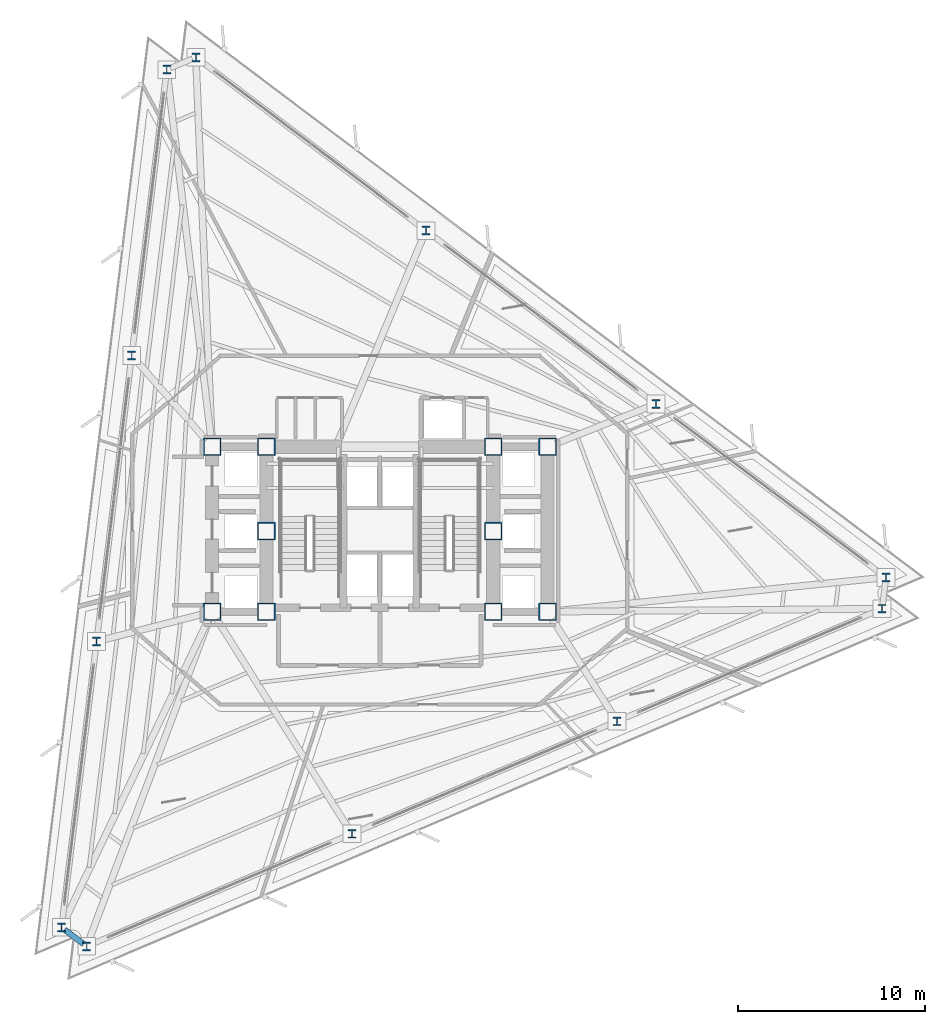
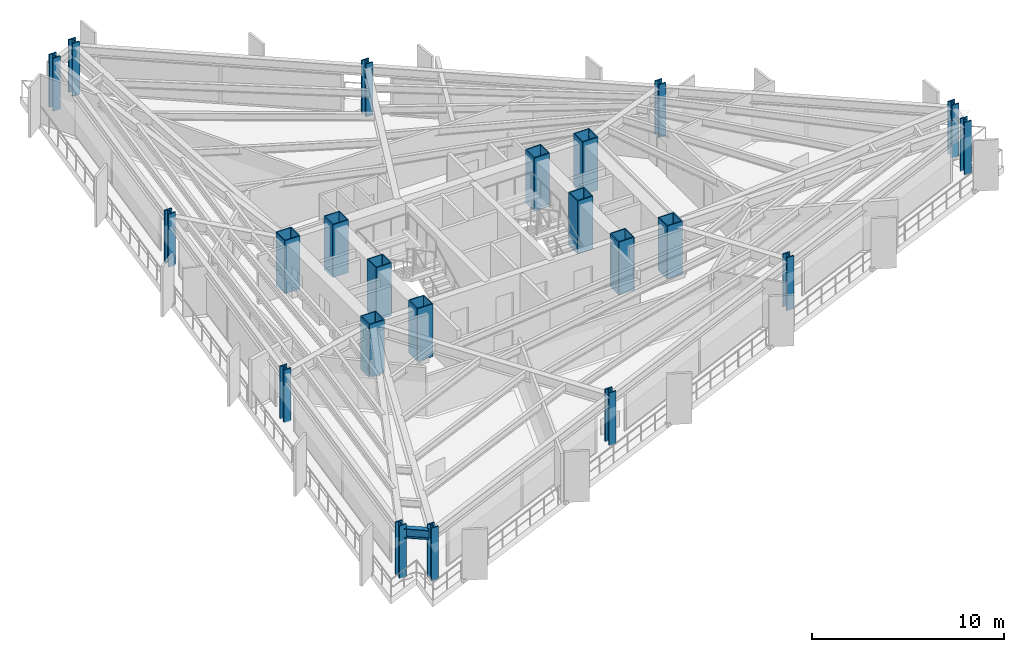
# One storey, part 1 of 13: 22 columns, 1 beam.
"""IFC4 building model written with IfcOpenShell, lengths in metres."""

from ifc_helpers import new_model, si_unit, direction, frame, origin, origin_2d, place, context, subcontext, project, spatial, hollow_rectangle, i_section, extrude, material, material_profile, profile_set, type_object, element, save


model = new_model("IFC4")

# Units and contexts
model_context = context("Model", 3, precision=1e-05, world=origin(), true_north=direction((0.0, 1.0)))
body_context = subcontext(model_context, "Body", "Model", "MODEL_VIEW")
ifc_project = project(units=[si_unit("LENGTHUNIT", "METRE"), si_unit("AREAUNIT", "SQUARE_METRE"), si_unit("VOLUMEUNIT", "CUBIC_METRE"), si_unit("PLANEANGLEUNIT", "RADIAN"), si_unit("MASSUNIT", "GRAM", prefix="KILO")], contexts=[model_context])

# Site, building, storey
site_placement = place(None, origin())
site = spatial("IfcSite", under=ifc_project, at=site_placement, CompositionType="ELEMENT")
building_placement = place(site_placement, origin())
building = spatial("IfcBuilding", under=site, at=building_placement, Name="Rocaltana Carrier Exchange", CompositionType="ELEMENT")
storey_placement = place(building_placement, frame((0.0, 0.0, 49.60009765625)))
storey = spatial("IfcBuildingStorey", under=building, at=storey_placement, Name="L15", CompositionType="ELEMENT", Elevation=49.60009765625)

# Columns
ifc_material_1 = material(Name="Steel S460", Category="steel")
ifc_material_profile_1 = material_profile(ifc_material_1, hollow_rectangle(XDim=0.949951171875, YDim=0.949951171875, WallThickness=0.06005859375, InnerFilletRadius=0.02001953125, OuterFilletRadius=0.0400390625, at=origin_2d()), Name="BOX950X950X60")
ifc_profile_set_1 = profile_set([ifc_material_profile_1], Name="Steel S460")
column_type_1 = type_object("IfcColumnType", Name="Core Mega-Column BOX950", PredefinedType="COLUMN", material=ifc_profile_set_1)
for number, where, z_axis, x_axis, name in (
    (1, (-6.050048828125, 4.5, 0.0), (0.0, 0.0, 1.0), (1.0, 0.0, 0.0), "L15 Core Mega-Column MC1"),
    (2, (6.050048828125, 4.5, 0.0), (0.0, 0.0, 1.0), (1.0, 0.0, 0.0), "L15 Core Mega-Column MC2"),
    (3, (-6.050048828125, 0.0, 0.0), (0.0, 0.0, 1.0), (1.0, 0.0, 0.0), "L15 Core Mega-Column MC3"),
    (4, (6.050048828125, 0.0, 0.0), (0.0, 0.0, 1.0), (1.0, 0.0, 0.0), "L15 Core Mega-Column MC4"),
    (5, (-6.050048828125, -4.300048828125, 0.0), (0.0, 0.0, 1.0), (1.0, 0.0, 0.0), "L15 Core Mega-Column MC5"),
    (6, (6.050048828125, -4.300048828125, 0.0), (0.0, 0.0, 1.0), (1.0, 0.0, 0.0), "L15 Core Mega-Column MC6"),
    (7, (-8.949951171875, 4.5, 0.0), (0.0, 0.0, 1.0), (1.0, 0.0, 0.0), "L15 West Core Column WC1"),
    (8, (-8.949951171875, -4.300048828125, 0.0), (0.0, 0.0, 1.0), (1.0, 0.0, 0.0), "L15 West Core Column WC2"),
    (9, (8.949951171875, 4.5, 0.0), (0.0, 0.0, 1.0), (1.0, 0.0, 0.0), "L15 East Core Column EC1"),
    (10, (8.949951171875, -4.300048828125, 0.0), (0.0, 0.0, 1.0), (1.0, 0.0, 0.0), "L15 East Core Column EC2"),
):
    element("IfcColumn", number, at=place(storey_placement, frame(where, z_axis=z_axis, x_axis=x_axis)), inside=storey, type_object=column_type_1, Name=name, PredefinedType="COLUMN", context=body_context, shape_type="SweptSolid", body=[
        extrude(hollow_rectangle(XDim=0.949951171875, YDim=0.949951171875, WallThickness=0.06005859375, InnerFilletRadius=0.02001953125, OuterFilletRadius=0.0400390625, at=origin_2d()), origin(), (0.0, 0.0, 1.0), 3.35986328125),
    ])
ifc_material_2 = material(Name="Steel S460", Category="steel")
ifc_material_profile_2 = material_profile(ifc_material_2, i_section(OverallWidth=0.424072265625, OverallDepth=0.47412109375, WebThickness=0.047607421875, FlangeThickness=0.0771484375, FilletRadius=0.02490234375, at=origin_2d()), Name="W14X426")
ifc_profile_set_2 = profile_set([ifc_material_profile_2], Name="Steel S460")
column_type_2 = type_object("IfcColumnType", Name="Perimeter Column W14X426", PredefinedType="COLUMN", material=ifc_profile_set_2)
for number, where, z_axis, x_axis, name in (
    (11, (27.0029296875, -2.466796875, 0.0), (0.0, 0.0, 1.0), (1.0, 0.0, 0.0), "L15 Perimeter Column TC01"),
    (12, (14.73046875, 6.781005859375, 0.0), (0.0, 0.0, 1.0), (1.0, 0.0, 0.0), "L15 Perimeter Column TC02"),
    (13, (2.458251953125, 16.029052734375, 0.0), (0.0, 0.0, 1.0), (1.0, 0.0, 0.0), "L15 Perimeter Column TC03"),
    (14, (-9.814208984375, 25.27685546875, 0.0), (0.0, 0.0, 1.0), (1.0, 0.0, 0.0), "L15 Perimeter Column TC04"),
    (15, (-11.365234375, 24.61865234375, 0.0), (0.0, 0.0, 1.0), (1.0, 0.0, 0.0), "L15 Perimeter Column TC05"),
    (16, (-13.23779296875, 9.366455078125, 0.0), (0.0, 0.0, 1.0), (1.0, 0.0, 0.0), "L15 Perimeter Column TC06"),
    (17, (-15.110595703125, -5.8857421875, 0.0), (0.0, 0.0, 1.0), (1.0, 0.0, 0.0), "L15 Perimeter Column TC07"),
    (18, (-16.9833984375, -21.1376953125, 0.0), (0.0, 0.0, 1.0), (1.0, 0.0, 0.0), "L15 Perimeter Column TC08"),
    (19, (-15.6376953125, -22.15185546875, 0.0), (0.0, 0.0, 1.0), (1.0, 0.0, 0.0), "L15 Perimeter Column TC09"),
    (20, (-1.49267578125, -16.147705078125, 0.0), (0.0, 0.0, 1.0), (1.0, 0.0, 0.0), "L15 Perimeter Column TC10"),
    (21, (12.652587890625, -10.143310546875, 0.0), (0.0, 0.0, 1.0), (1.0, 0.0, 0.0), "L15 Perimeter Column TC11"),
    (22, (26.797607421875, -4.13916015625, 0.0), (0.0, 0.0, 1.0), (1.0, 0.0, 0.0), "L15 Perimeter Column TC12"),
):
    element("IfcColumn", number, at=place(storey_placement, frame(where, z_axis=z_axis, x_axis=x_axis)), inside=storey, type_object=column_type_2, Name=name, PredefinedType="COLUMN", context=body_context, shape_type="SweptSolid", body=[
        extrude(i_section(OverallWidth=0.424072265625, OverallDepth=0.47412109375, WebThickness=0.047607421875, FlangeThickness=0.0771484375, FilletRadius=0.02490234375, at=origin_2d()), origin(), (0.0, 0.0, 1.0), 3.35986328125),
    ])

# Beam
ifc_material_3 = material(Name="Steel S355", Category="steel")
ifc_material_profile_3 = material_profile(ifc_material_3, i_section(OverallWidth=0.300048828125, OverallDepth=0.60009765625, WebThickness=0.015380859375, FlangeThickness=0.030029296875, FilletRadius=0.027099609375, at=origin_2d()), Name="HEB600")
ifc_profile_set_3 = profile_set([ifc_material_profile_3], Name="Steel S355")
beam_type = type_object("IfcBeamType", Name="Spandrel Edge Beam HEB600", PredefinedType="SPANDREL", material=ifc_profile_set_3)
beam_placement = place(storey_placement, frame((-16.820556640625, -21.260498046875, 2.7978515625), z_axis=(0.798667557752, -0.601772492055, 0.0), x_axis=(0.601772492055, 0.798667557752, 0.0)))
element("IfcBeam", 23, at=beam_placement, inside=storey, type_object=beam_type, Name="SP-L15-08", PredefinedType="SPANDREL", context=body_context, shape_type="SweptSolid", body=[
    extrude(i_section(OverallWidth=0.300048828125, OverallDepth=0.60009765625, WebThickness=0.015380859375, FlangeThickness=0.030029296875, FilletRadius=0.027099609375, at=origin_2d()), origin(), (0.0, 0.0, 1.0), 1.277099609375),
])

save(model, "model.ifc")
